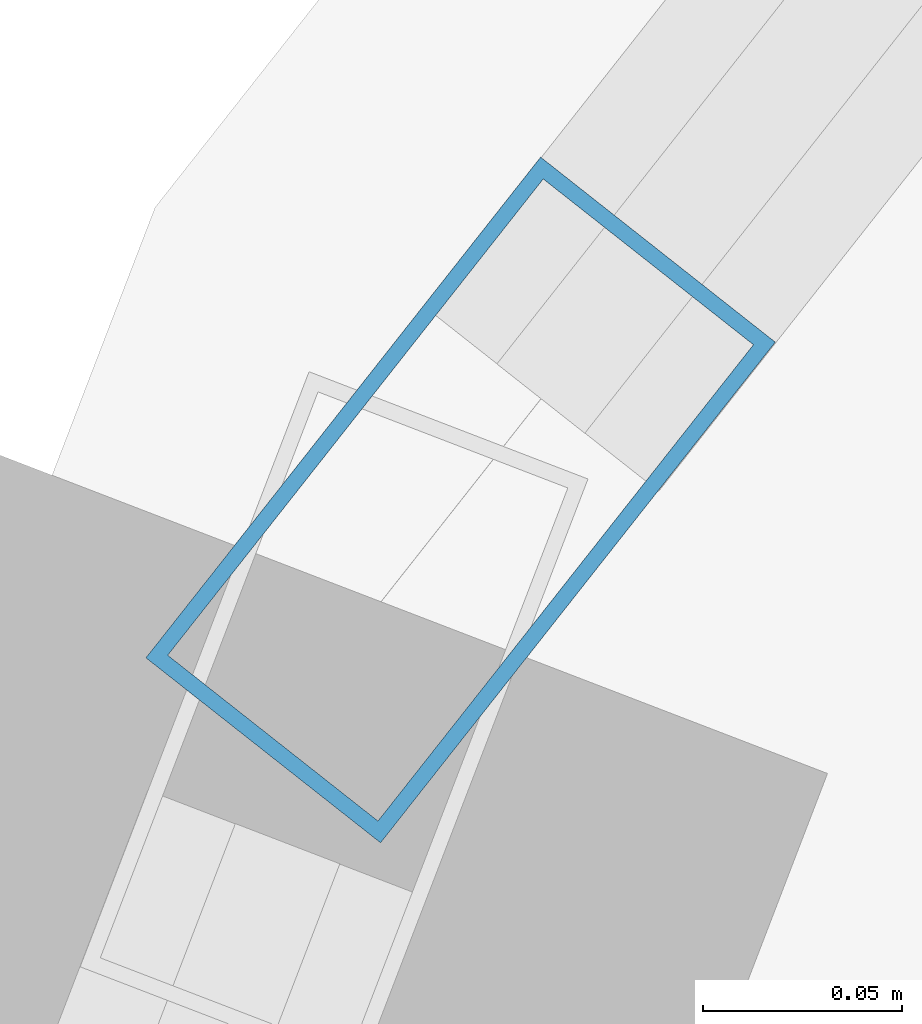
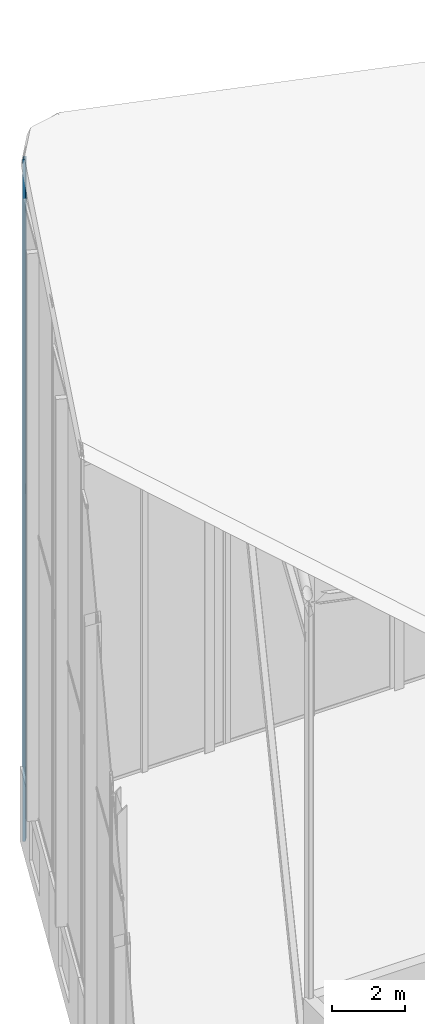
# One storey, part 37 of 74: 1 member, 1 element without a shape of its own.
"""IFC4 building model written with IfcOpenShell, lengths in metres."""

from ifc_helpers import new_model, si_unit, direction, frame, origin, origin_2d, place, context, subcontext, project, spatial, hollow_rectangle, extrude, material, layer, layer_set, material_profile, profile_set, type_object, element, aggregate, save


model = new_model("IFC4")

# Units and contexts
model_context = context("Model", 3, precision=1e-05, world=origin(), true_north=direction((0.0, 1.0)))
body_context = subcontext(model_context, "Body", "Model", "MODEL_VIEW")
ifc_project = project(units=[si_unit("LENGTHUNIT", "METRE"), si_unit("AREAUNIT", "SQUARE_METRE"), si_unit("VOLUMEUNIT", "CUBIC_METRE"), si_unit("PLANEANGLEUNIT", "RADIAN"), si_unit("MASSUNIT", "GRAM", prefix="KILO")], contexts=[model_context])

# Site, building, storey
site_placement = place(None, origin())
site = spatial("IfcSite", under=ifc_project, at=site_placement, CompositionType="ELEMENT")
building_placement = place(site_placement, origin())
building = spatial("IfcBuilding", under=site, at=building_placement, Name="Keshet Zoharim Tower", CompositionType="ELEMENT")
storey_placement = place(building_placement, frame((0.0, 0.0, 320.0)))
storey = spatial("IfcBuildingStorey", under=building, at=storey_placement, Name="RF", CompositionType="ELEMENT", Elevation=320.0)

# Curtain wall, member
ifc_material = material(Name="Aluminium 6063-T6", Category="aluminium")
ifc_layer = layer(ifc_material, 0.260009765625)
ifc_layer_set = layer_set([ifc_layer], Name="Aluminium 6063-T6")
curtain_wall_type = type_object("IfcCurtainWallType", Name="CW-SYS-06", PredefinedType="NOTDEFINED", material=ifc_layer_set)
curtain_wall_placement = place(storey_placement, origin())
curtain_wall = element("IfcCurtainWall", 1, at=curtain_wall_placement, inside=storey, type_object=curtain_wall_type, Name="Slanted Crown Curtain Wall 09", PredefinedType="NOTDEFINED")
ifc_material_profile = material_profile(ifc_material, hollow_rectangle(XDim=0.074951171875, YDim=0.159912109375, WallThickness=0.00390625, at=origin_2d()), Name="MUL-75x160")
ifc_profile_set = profile_set([ifc_material_profile], Name="Aluminium 6063-T6")
member_type = type_object("IfcMemberType", Name="CWM-M15", PredefinedType="MULLION", material=ifc_profile_set)
member_placement = place(storey_placement, frame((14.527099609375, 52.6435546875, 0.0), z_axis=(0.0, 0.0, 1.0), x_axis=(-0.785292825205, 0.619124525989, 0.0)))
member = element("IfcMember", 2, at=member_placement, type_object=member_type, Name="CW-06 mullion 1", PredefinedType="MULLION", context=body_context, shape_type="SweptSolid", body=[
    extrude(hollow_rectangle(XDim=0.074951171875, YDim=0.159912109375, WallThickness=0.00390625, at=origin_2d()), origin(), (0.0, 0.0, 1.0), 22.7880859375),
])
aggregate(curtain_wall, [member])

save(model, "model.ifc")
